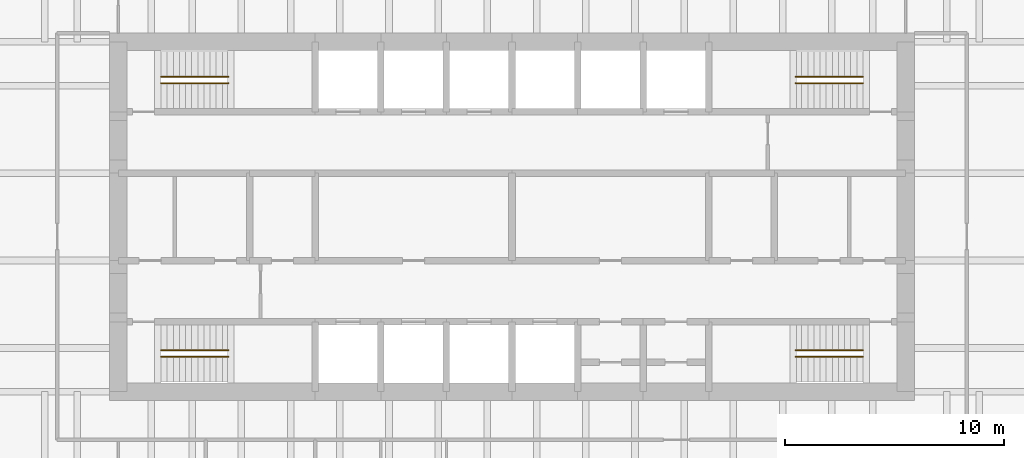
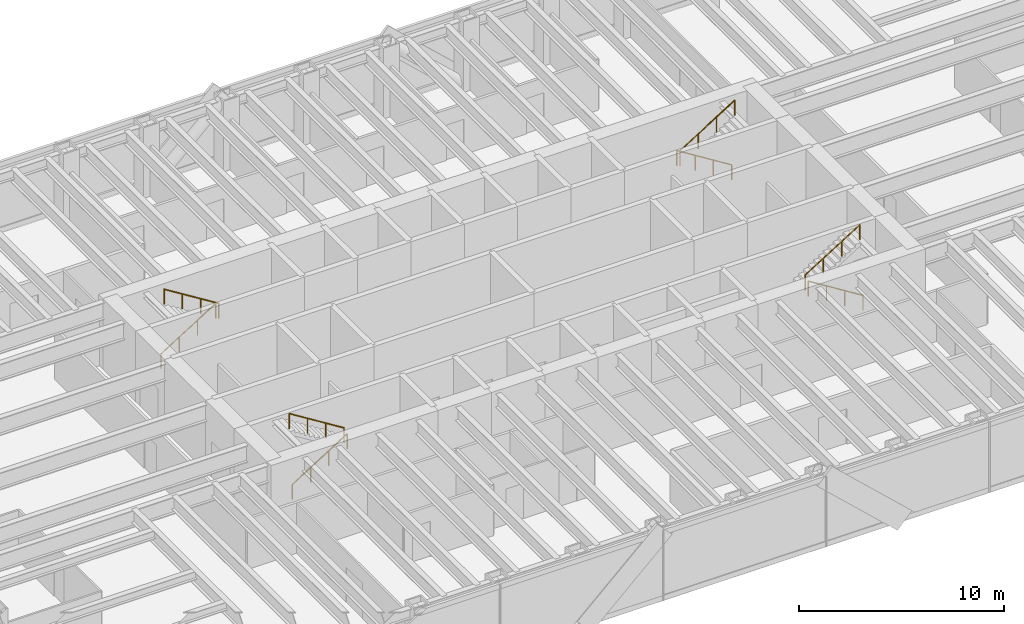
# One storey, part 15 of 15: 8 railings.
"""IFC4 building model written with IfcOpenShell, lengths in metres."""

from ifc_helpers import new_model, si_unit, direction, frame, origin, origin_2d, place, context, subcontext, project, spatial, circle, extrude, material, type_object, element, save


model = new_model("IFC4")

# Units and contexts
model_context = context("Model", 3, precision=1e-05, world=origin(), true_north=direction((0.0, 1.0)))
body_context = subcontext(model_context, "Body", "Model", "MODEL_VIEW")
ifc_project = project(units=[si_unit("LENGTHUNIT", "METRE"), si_unit("AREAUNIT", "SQUARE_METRE"), si_unit("VOLUMEUNIT", "CUBIC_METRE"), si_unit("PLANEANGLEUNIT", "RADIAN"), si_unit("MASSUNIT", "GRAM", prefix="KILO")], contexts=[model_context])

# Site, building, storey
site_placement = place(None, origin())
site = spatial("IfcSite", under=ifc_project, at=site_placement, CompositionType="ELEMENT")
building_placement = place(site_placement, origin())
building = spatial("IfcBuilding", under=site, at=building_placement, Name="Rheinbord Bourse Tower", CompositionType="ELEMENT")
storey_placement = place(building_placement, frame((0.0, 0.0, 236.199951171875)))
storey = spatial("IfcBuildingStorey", under=building, at=storey_placement, Name="L53", CompositionType="ELEMENT", Elevation=236.199951171875)

# Railings
ifc_material = material(Name="Steel handrail", Category="steel")
railing_type = type_object("IfcRailingType", Name="HANDRAIL 900", PredefinedType="HANDRAIL", material=ifc_material)
railing_1_placement = place(storey_placement, frame((19.949951171875, 17.60009765625, 0.175048828125)))
element("IfcRailing", 1, at=railing_1_placement, inside=storey, type_object=railing_type, Name="Handrail", PredefinedType="HANDRAIL", context=body_context, shape_type="SweptSolid", body=[
    extrude(circle(Radius=0.02392578125, at=origin_2d()), frame((0.0, 0.0, 0.8759765625), z_axis=(0.847998304005, 0.0, 0.529998940003), x_axis=(0.0, 1.0, 0.0)), (0.0, 0.0, 1.0), 3.632080078125),
    extrude(circle(Radius=0.02099609375, at=origin_2d()), origin(), (0.0, 0.0, 1.0), 0.851806640625),
    extrude(circle(Radius=0.02099609375, at=origin_2d()), frame((1.026611328125, 0.0, 0.6416015625)), (0.0, 0.0, 1.0), 0.851806640625),
    extrude(circle(Radius=0.02099609375, at=origin_2d()), frame((2.053466796875, 0.0, 1.283447265625)), (0.0, 0.0, 1.0), 0.851806640625),
    extrude(circle(Radius=0.02099609375, at=origin_2d()), frame((3.080078125, 0.0, 1.925048828125)), (0.0, 0.0, 1.0), 0.851806640625),
])
railing_2_placement = place(storey_placement, frame((23.030029296875, 17.89990234375, 2.275146484375)))
element("IfcRailing", 2, at=railing_2_placement, inside=storey, type_object=railing_type, Name="Handrail", PredefinedType="HANDRAIL", context=body_context, shape_type="SweptSolid", body=[
    extrude(circle(Radius=0.02392578125, at=origin_2d()), frame((0.0, 0.0, 0.8759765625), z_axis=(-0.848028513186, 0.0, 0.529950602248), x_axis=(0.0, -1.0, 0.0)), (0.0, 0.0, 1.0), 3.632080078125),
    extrude(circle(Radius=0.02099609375, at=origin_2d()), origin(), (0.0, 0.0, 1.0), 0.851806640625),
    extrude(circle(Radius=0.02099609375, at=origin_2d()), frame((-1.026611328125, 0.0, 0.6416015625)), (0.0, 0.0, 1.0), 0.851806640625),
    extrude(circle(Radius=0.02099609375, at=origin_2d()), frame((-2.053466796875, 0.0, 1.283203125)), (0.0, 0.0, 1.0), 0.851806640625),
    extrude(circle(Radius=0.02099609375, at=origin_2d()), frame((-3.080078125, 0.0, 1.9248046875)), (0.0, 0.0, 1.0), 0.851806640625),
])
railing_3_placement = place(storey_placement, frame((19.949951171875, 30.39990234375, 0.175048828125)))
element("IfcRailing", 3, at=railing_3_placement, inside=storey, type_object=railing_type, Name="Handrail", PredefinedType="HANDRAIL", context=body_context, shape_type="SweptSolid", body=[
    extrude(circle(Radius=0.02392578125, at=origin_2d()), frame((0.0, 0.0, 0.8759765625), z_axis=(0.847998304005, 0.0, 0.529998940003), x_axis=(0.0, 1.0, 0.0)), (0.0, 0.0, 1.0), 3.632080078125),
    extrude(circle(Radius=0.02099609375, at=origin_2d()), origin(), (0.0, 0.0, 1.0), 0.851806640625),
    extrude(circle(Radius=0.02099609375, at=origin_2d()), frame((1.026611328125, 0.0, 0.6416015625)), (0.0, 0.0, 1.0), 0.851806640625),
    extrude(circle(Radius=0.02099609375, at=origin_2d()), frame((2.053466796875, 0.0, 1.283447265625)), (0.0, 0.0, 1.0), 0.851806640625),
    extrude(circle(Radius=0.02099609375, at=origin_2d()), frame((3.080078125, 0.0, 1.925048828125)), (0.0, 0.0, 1.0), 0.851806640625),
])
railing_4_placement = place(storey_placement, frame((23.030029296875, 30.10009765625, 2.275146484375)))
element("IfcRailing", 4, at=railing_4_placement, inside=storey, type_object=railing_type, Name="Handrail", PredefinedType="HANDRAIL", context=body_context, shape_type="SweptSolid", body=[
    extrude(circle(Radius=0.02392578125, at=origin_2d()), frame((0.0, 0.0, 0.8759765625), z_axis=(-0.848028513186, 0.0, 0.529950602248), x_axis=(0.0, -1.0, 0.0)), (0.0, 0.0, 1.0), 3.632080078125),
    extrude(circle(Radius=0.02099609375, at=origin_2d()), origin(), (0.0, 0.0, 1.0), 0.851806640625),
    extrude(circle(Radius=0.02099609375, at=origin_2d()), frame((-1.026611328125, 0.0, 0.6416015625)), (0.0, 0.0, 1.0), 0.851806640625),
    extrude(circle(Radius=0.02099609375, at=origin_2d()), frame((-2.053466796875, 0.0, 1.283203125)), (0.0, 0.0, 1.0), 0.851806640625),
    extrude(circle(Radius=0.02099609375, at=origin_2d()), frame((-3.080078125, 0.0, 1.9248046875)), (0.0, 0.0, 1.0), 0.851806640625),
])
railing_5_placement = place(storey_placement, frame((52.050048828125, 17.60009765625, 0.175048828125)))
element("IfcRailing", 5, at=railing_5_placement, inside=storey, type_object=railing_type, Name="Handrail", PredefinedType="HANDRAIL", context=body_context, shape_type="SweptSolid", body=[
    extrude(circle(Radius=0.02392578125, at=origin_2d()), frame((0.0, 0.0, 0.8759765625), z_axis=(-0.847998304005, 0.0, 0.529998940003), x_axis=(0.0, -1.0, 0.0)), (0.0, 0.0, 1.0), 3.632080078125),
    extrude(circle(Radius=0.02099609375, at=origin_2d()), origin(), (0.0, 0.0, 1.0), 0.851806640625),
    extrude(circle(Radius=0.02099609375, at=origin_2d()), frame((-1.026611328125, 0.0, 0.6416015625)), (0.0, 0.0, 1.0), 0.851806640625),
    extrude(circle(Radius=0.02099609375, at=origin_2d()), frame((-2.053466796875, 0.0, 1.283447265625)), (0.0, 0.0, 1.0), 0.851806640625),
    extrude(circle(Radius=0.02099609375, at=origin_2d()), frame((-3.080078125, 0.0, 1.925048828125)), (0.0, 0.0, 1.0), 0.851806640625),
])
railing_6_placement = place(storey_placement, frame((48.969970703125, 17.89990234375, 2.275146484375)))
element("IfcRailing", 6, at=railing_6_placement, inside=storey, type_object=railing_type, Name="Handrail", PredefinedType="HANDRAIL", context=body_context, shape_type="SweptSolid", body=[
    extrude(circle(Radius=0.02392578125, at=origin_2d()), frame((0.0, 0.0, 0.8759765625), z_axis=(0.848028513186, 0.0, 0.529950602248), x_axis=(0.0, 1.0, 0.0)), (0.0, 0.0, 1.0), 3.632080078125),
    extrude(circle(Radius=0.02099609375, at=origin_2d()), origin(), (0.0, 0.0, 1.0), 0.851806640625),
    extrude(circle(Radius=0.02099609375, at=origin_2d()), frame((1.026611328125, 0.0, 0.6416015625)), (0.0, 0.0, 1.0), 0.851806640625),
    extrude(circle(Radius=0.02099609375, at=origin_2d()), frame((2.053466796875, 0.0, 1.283203125)), (0.0, 0.0, 1.0), 0.851806640625),
    extrude(circle(Radius=0.02099609375, at=origin_2d()), frame((3.080078125, 0.0, 1.9248046875)), (0.0, 0.0, 1.0), 0.851806640625),
])
railing_7_placement = place(storey_placement, frame((52.050048828125, 30.39990234375, 0.175048828125)))
element("IfcRailing", 7, at=railing_7_placement, inside=storey, type_object=railing_type, Name="Handrail", PredefinedType="HANDRAIL", context=body_context, shape_type="SweptSolid", body=[
    extrude(circle(Radius=0.02392578125, at=origin_2d()), frame((0.0, 0.0, 0.8759765625), z_axis=(-0.847998304005, 0.0, 0.529998940003), x_axis=(0.0, -1.0, 0.0)), (0.0, 0.0, 1.0), 3.632080078125),
    extrude(circle(Radius=0.02099609375, at=origin_2d()), origin(), (0.0, 0.0, 1.0), 0.851806640625),
    extrude(circle(Radius=0.02099609375, at=origin_2d()), frame((-1.026611328125, 0.0, 0.6416015625)), (0.0, 0.0, 1.0), 0.851806640625),
    extrude(circle(Radius=0.02099609375, at=origin_2d()), frame((-2.053466796875, 0.0, 1.283447265625)), (0.0, 0.0, 1.0), 0.851806640625),
    extrude(circle(Radius=0.02099609375, at=origin_2d()), frame((-3.080078125, 0.0, 1.925048828125)), (0.0, 0.0, 1.0), 0.851806640625),
])
railing_8_placement = place(storey_placement, frame((48.969970703125, 30.10009765625, 2.275146484375)))
element("IfcRailing", 8, at=railing_8_placement, inside=storey, type_object=railing_type, Name="Handrail", PredefinedType="HANDRAIL", context=body_context, shape_type="SweptSolid", body=[
    extrude(circle(Radius=0.02392578125, at=origin_2d()), frame((0.0, 0.0, 0.8759765625), z_axis=(0.848028513186, 0.0, 0.529950602248), x_axis=(0.0, 1.0, 0.0)), (0.0, 0.0, 1.0), 3.632080078125),
    extrude(circle(Radius=0.02099609375, at=origin_2d()), origin(), (0.0, 0.0, 1.0), 0.851806640625),
    extrude(circle(Radius=0.02099609375, at=origin_2d()), frame((1.026611328125, 0.0, 0.6416015625)), (0.0, 0.0, 1.0), 0.851806640625),
    extrude(circle(Radius=0.02099609375, at=origin_2d()), frame((2.053466796875, 0.0, 1.283203125)), (0.0, 0.0, 1.0), 0.851806640625),
    extrude(circle(Radius=0.02099609375, at=origin_2d()), frame((3.080078125, 0.0, 1.9248046875)), (0.0, 0.0, 1.0), 0.851806640625),
])

save(model, "model.ifc")
